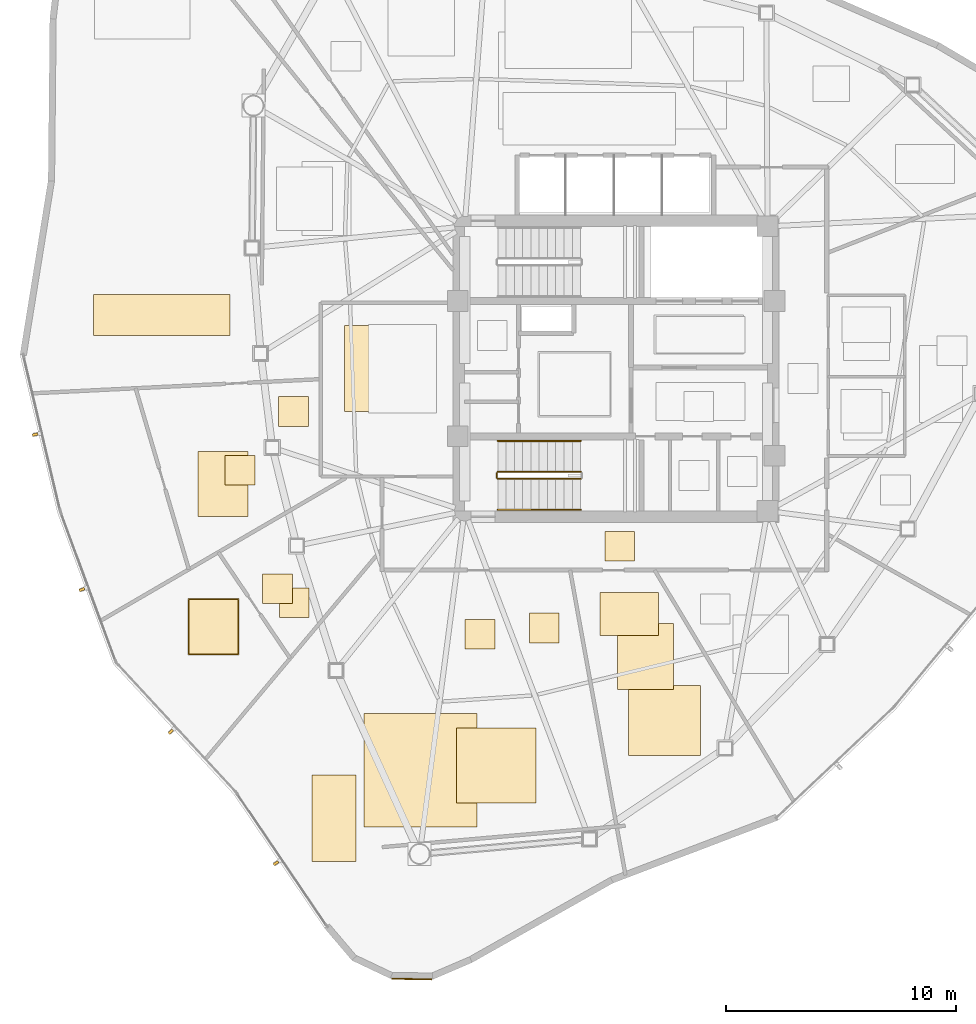
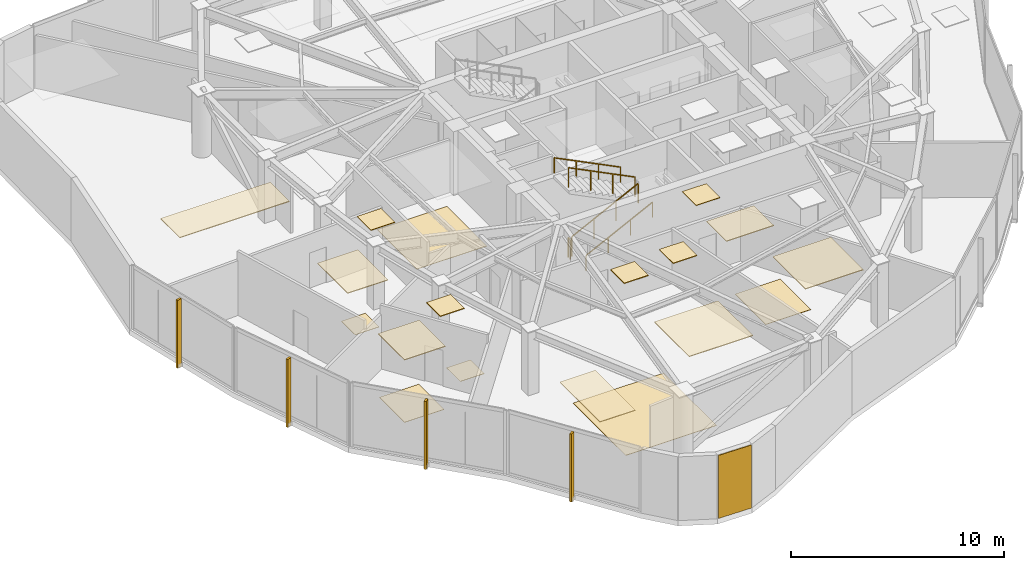
# One storey, part 11 of 13: 19 coverings, 5 railings, 4 shading devices.
"""IFC4 building model written with IfcOpenShell, lengths in metres."""

import ifcopenshell
import ifcopenshell.guid

model = None  # the IFC model being written
_history = None  # IfcOwnerHistory: only IFC2X3 demands one
_inside = {}  # id of a spatial element -> (the spatial element, [elements in it])
_under = {}  # id of a project, library or spatial element -> (it, [spatial elements below it])
_declared = {}  # id of a project -> (the project, [libraries it declares])
_typed = {}  # id of a type object -> (the type object, [elements of that type])
_made_of = {}  # id of a material, layer set ... -> (it, [elements and type objects made of it])


def new_model(schema):
    """Start an empty IFC model of exactly this schema.

    Asked for "IFC4X3", IfcOpenShell would pick the latest addendum, in which some entities
    have other attributes; the version numbers below select the first issue.
    IFC2X3 requires an IfcOwnerHistory on every rooted entity: one is made here for all.
    """
    global model, _history
    if schema == "IFC4X3":
        model = ifcopenshell.file(schema_version=(4, 3, 0, 0))
    else:
        model = ifcopenshell.file(schema=schema)
    _inside.clear()
    _under.clear()
    _declared.clear()
    _typed.clear()
    _made_of.clear()
    _history = None
    if model.schema == "IFC2X3":
        org = make("IfcOrganization", Name="unknown")
        user = make(
            "IfcPersonAndOrganization",
            ThePerson=make("IfcPerson", FamilyName="unknown"),
            TheOrganization=org,
        )
        app = make(
            "IfcApplication",
            ApplicationDeveloper=org,
            Version="unknown",
            ApplicationFullName="unknown",
            ApplicationIdentifier="unknown",
        )
        _history = make(
            "IfcOwnerHistory",
            OwningUser=user,
            OwningApplication=app,
            ChangeAction="ADDED",
            CreationDate=0,
        )
    return model


def make(cls, **values):
    """One entity of the class cls with the attributes given. An attribute that is None is left unset."""
    return model.create_entity(
        cls, **{name: value for name, value in values.items() if value is not None}
    )


def rooted(cls, **values):
    """An entity with a GlobalId (a new one), such as an element, a storey or a relation."""
    return make(cls, GlobalId=ifcopenshell.guid.new(), OwnerHistory=_history, **values)


def si_unit(unit_type, name, prefix=None):
    """IfcSIUnit, for example si_unit("LENGTHUNIT", "METRE", prefix="MILLI")."""
    return make("IfcSIUnit", UnitType=unit_type, Prefix=prefix, Name=name)


def assignment(units):
    """IfcUnitAssignment: the units of a project."""
    return None if units is None else make("IfcUnitAssignment", Units=units)


def point(xyz):
    """IfcCartesianPoint."""
    return None if xyz is None else make("IfcCartesianPoint", Coordinates=xyz)


def direction(xyz):
    """IfcDirection."""
    return None if xyz is None else make("IfcDirection", DirectionRatios=xyz)


def frame(location, z_axis=None, x_axis=None):
    """IfcAxis2Placement3D, a coordinate frame: its origin and axes. An axis left out is left unset."""
    return make(
        "IfcAxis2Placement3D",
        Location=point(location),
        Axis=direction(z_axis),
        RefDirection=direction(x_axis),
    )


def frame_2d(location, x_axis=None):
    """IfcAxis2Placement2D, a coordinate frame in the plane: its origin and x axis."""
    return make(
        "IfcAxis2Placement2D", Location=point(location), RefDirection=direction(x_axis)
    )


def origin():
    """The frame at (0, 0, 0) with its axes left unset."""
    return frame((0.0, 0.0, 0.0))


def origin_2d():
    """The frame at (0, 0) in the plane with its x axis left unset."""
    return frame_2d((0.0, 0.0))


def place(relative_to, where):
    """IfcLocalPlacement: puts the frame where relative to a parent placement (None: the world)."""
    return make(
        "IfcLocalPlacement", PlacementRelTo=relative_to, RelativePlacement=where
    )


def context(
    kind, dimensions, precision=None, world=None, true_north=None, identifier=None
):
    """IfcGeometricRepresentationContext, for example the 3D "Model" context."""
    return make(
        "IfcGeometricRepresentationContext",
        ContextIdentifier=identifier,
        ContextType=kind,
        CoordinateSpaceDimension=dimensions,
        Precision=precision,
        WorldCoordinateSystem=world,
        TrueNorth=true_north,
    )


def subcontext(parent, identifier, kind, view, scale=None):
    """IfcGeometricRepresentationSubContext, for example "Body" below "Model"."""
    return make(
        "IfcGeometricRepresentationSubContext",
        ContextIdentifier=identifier,
        ContextType=kind,
        ParentContext=parent,
        TargetScale=scale,
        TargetView=view,
    )


def project(units=None, contexts=None):
    """IfcProject with its units and contexts."""
    return rooted(
        "IfcProject",
        Name="project",
        RepresentationContexts=contexts,
        UnitsInContext=assignment(units),
    )


def spatial(cls, under=None, at=None, **own):
    """A site, building, storey or space (cls), placed at a placement, below another one or the project."""
    s = rooted(cls, ObjectPlacement=at, **own)
    if under is not None:
        _under.setdefault(under.id(), (under, []))[1].append(s)
    return s


def polyline(points):
    """IfcPolyline through the points."""
    return make("IfcPolyline", Points=[point(p) for p in points])


def profile(cls, at=None, kind="AREA", **sizes):
    """A parametric profile (cls). Its sizes go by their IFC names, for example OverallWidth=200.0."""
    return make(cls, ProfileType=kind, Position=at, **sizes)


def rectangle(**sizes):
    """IfcRectangleProfileDef."""
    return profile("IfcRectangleProfileDef", **sizes)


def outline(outer, holes=None, kind="AREA"):
    """IfcArbitraryClosedProfileDef: a profile drawn as a closed curve; with holes, ...WithVoids."""
    if holes is None:
        return make("IfcArbitraryClosedProfileDef", ProfileType=kind, OuterCurve=outer)
    return make(
        "IfcArbitraryProfileDefWithVoids",
        ProfileType=kind,
        OuterCurve=outer,
        InnerCurves=holes,
    )


def extrude(swept, where, along, depth):
    """IfcExtrudedAreaSolid: the profile swept, set in the frame where, extruded along a direction by depth."""
    return make(
        "IfcExtrudedAreaSolid",
        SweptArea=swept,
        Position=where,
        ExtrudedDirection=direction(along),
        Depth=depth,
    )


def shape(context_of_items, identifier, shape_type, items):
    """IfcShapeRepresentation: the items that make up one representation, for example the "Body"."""
    return make(
        "IfcShapeRepresentation",
        ContextOfItems=context_of_items,
        RepresentationIdentifier=identifier,
        RepresentationType=shape_type,
        Items=items,
    )


def source(mapping_origin, context_of_items, identifier, shape_type, items):
    """IfcRepresentationMap: a shape defined once, which mapped items show again and again."""
    return make(
        "IfcRepresentationMap",
        MappingOrigin=mapping_origin,
        MappedRepresentation=shape(context_of_items, identifier, shape_type, items),
    )


def transform(
    local_origin,
    x_axis=None,
    y_axis=None,
    z_axis=None,
    scale=None,
    scale2=None,
    scale3=None,
    uniform=True,
):
    """IfcCartesianTransformationOperator3D, or its non-uniform kind. x_axis, y_axis, z_axis: its Axis1, 2, 3."""
    if uniform:
        return make(
            "IfcCartesianTransformationOperator3D",
            Axis1=direction(x_axis),
            Axis2=direction(y_axis),
            LocalOrigin=point(local_origin),
            Scale=scale,
            Axis3=direction(z_axis),
        )
    return make(
        "IfcCartesianTransformationOperator3DnonUniform",
        Axis1=direction(x_axis),
        Axis2=direction(y_axis),
        LocalOrigin=point(local_origin),
        Scale=scale,
        Axis3=direction(z_axis),
        Scale2=scale2,
        Scale3=scale3,
    )


def mapped(mapping_source, mapping_target):
    """IfcMappedItem: shows the shape of a source again, moved by a transform."""
    return make(
        "IfcMappedItem", MappingSource=mapping_source, MappingTarget=mapping_target
    )


def material(Name=None, Category=None):
    """IfcMaterial."""
    return make("IfcMaterial", Name=Name, Category=Category)


def layer(
    of_material, thickness, ventilated=None, Name=None, Category=None, Priority=None
):
    """IfcMaterialLayer: one layer of a wall or slab, of a material (None: an air gap)."""
    return make(
        "IfcMaterialLayer",
        Material=of_material,
        LayerThickness=thickness,
        IsVentilated=ventilated,
        Name=Name,
        Category=Category,
        Priority=Priority,
    )


def layer_set(layers, Name=None):
    """IfcMaterialLayerSet."""
    return make("IfcMaterialLayerSet", MaterialLayers=layers, LayerSetName=Name)


def made_of(thing, what):
    """Note that an element or type object is made of a material, layer set ...; save() writes the relation."""
    if what is not None:
        _made_of.setdefault(what.id(), (what, []))[1].append(thing)
    return thing


def type_object(cls, material=None, **own):
    """A type object (cls), such as IfcWallType, which elements share."""
    return made_of(rooted(cls, **own), material)


def type_shapes(of_type, sources):
    """Give a type object the sources (RepresentationMaps) that its elements show as mapped items."""
    of_type.RepresentationMaps = sources


def element(
    cls,
    number,
    at=None,
    inside=None,
    cuts=None,
    type_object=None,
    material=None,
    context=None,
    identifier="Body",
    shape_type=None,
    held_by="IfcProductDefinitionShape",
    body=None,
    shapes=None,
    **own,
):
    """One element of the class cls, such as IfcWall. Its Tag is "e" and its number.

    at: its placement. inside: the storey or other place that contains it. cuts: it is an
    opening in that element (IfcRelVoidsElement). A single representation is given by context,
    identifier, shape_type and body (its items); several are given by shapes. held_by: the class
    of the entity that holds the representations. save() writes the other relations.
    """
    e = rooted(cls, Tag="e%d" % number, ObjectPlacement=at, **own)
    if body is not None:
        shapes = [shape(context, identifier, shape_type, body)]
    if shapes is not None:
        e.Representation = make(held_by, Representations=shapes)
    if inside is not None:
        _inside.setdefault(inside.id(), (inside, []))[1].append(e)
    if cuts is not None:
        rooted(
            "IfcRelVoidsElement", RelatingBuildingElement=cuts, RelatedOpeningElement=e
        )
    if type_object is not None:
        _typed.setdefault(type_object.id(), (type_object, []))[1].append(e)
    return made_of(e, material)


def aggregate(whole, parts):
    """IfcRelAggregates: a whole, such as a stair, and the parts it consists of."""
    return rooted("IfcRelAggregates", RelatingObject=whole, RelatedObjects=parts)


def save(model, path):
    """Write the relations noted so far, then the file.

    IfcRelAggregates (storeys below a building ...), IfcRelContainedInSpatialStructure (elements
    in a storey), IfcRelDefinesByType, IfcRelAssociatesMaterial and IfcRelDeclares: one each for
    every whole, place, type object, material and project.
    """
    for whole, parts in _under.values():
        aggregate(whole, parts)
    for where, things in _inside.values():
        rooted(
            "IfcRelContainedInSpatialStructure",
            RelatedElements=things,
            RelatingStructure=where,
        )
    for kind, things in _typed.values():
        rooted("IfcRelDefinesByType", RelatedObjects=things, RelatingType=kind)
    for what, things in _made_of.values():
        rooted("IfcRelAssociatesMaterial", RelatedObjects=things, RelatingMaterial=what)
    for by, libraries in _declared.values():
        rooted("IfcRelDeclares", RelatingContext=by, RelatedDefinitions=libraries)
    model.write(path)


model = new_model("IFC4")

# Units and contexts
model_context = context("Model", 3, precision=1e-05, world=origin(), true_north=direction((0.0, 1.0)))
body_context = subcontext(model_context, "Body", "Model", "MODEL_VIEW")
ifc_project = project(units=[si_unit("LENGTHUNIT", "METRE"), si_unit("AREAUNIT", "SQUARE_METRE"), si_unit("VOLUMEUNIT", "CUBIC_METRE"), si_unit("PLANEANGLEUNIT", "RADIAN"), si_unit("MASSUNIT", "GRAM", prefix="KILO")], contexts=[model_context])

# Site, building, storey
site_placement = place(None, origin())
site = spatial("IfcSite", under=ifc_project, at=site_placement, CompositionType="ELEMENT")
building_placement = place(site_placement, origin())
building = spatial("IfcBuilding", under=site, at=building_placement, Name="Tavelor Broadcast Tower", CompositionType="ELEMENT")
storey_placement = place(building_placement, frame((0.0, 0.0, 237.949951171875)))
storey = spatial("IfcBuildingStorey", under=building, at=storey_placement, Name="L56", CompositionType="ELEMENT", Elevation=237.949951171875)

# Covering
ifc_material_1 = material(Name="Copper-Bronze Anodized Aluminium", Category="aluminium")
ifc_layer_1 = layer(ifc_material_1, 0.050048828125)
ifc_layer_set_1 = layer_set([ifc_layer_1], Name="Copper-Bronze Anodized Aluminium")
covering_type_1 = type_object("IfcCoveringType", Name="Champagne-Bronze Corner Pier Metal Cladding 50 mm", PredefinedType="CLADDING", material=ifc_layer_set_1)
covering_1_placement = place(storey_placement, frame((41.091796875, 18.4033203125, 0.02001953125), z_axis=(0.0, 0.0, 1.0), x_axis=(0.999832084347, -0.018324931396, 0.0)))
element("IfcCovering", 1, at=covering_1_placement, inside=storey, type_object=covering_type_1, Name="L56 Champagne-Bronze Corner Cladding 13", PredefinedType="CLADDING", context=body_context, shape_type="SweptSolid", body=[
    extrude(rectangle(XDim=1.75244140625, YDim=0.050048828125, at=origin_2d()), origin(), (0.0, 0.0, 1.0), 3.610107421875),
])

# Railings
ifc_material_2 = material(Name="Steel S355", Category="steel")
railing_type_1 = type_object("IfcRailingType", Name="Continuous Brushed Stainless Handrail 900 mm", PredefinedType="HANDRAIL", material=ifc_material_2)
railing_1_placement = place(storey_placement, frame((44.85009765625, 38.85009765625, 0.1796875)))
element("IfcRailing", 2, at=railing_1_placement, inside=storey, type_object=railing_type_1, Name="L56 ST2 stair handrail 1", PredefinedType="HANDRAIL", context=body_context, shape_type="SweptSolid", body=[
    extrude(rectangle(XDim=0.048095703125, YDim=0.048095703125, at=origin_2d()), frame((0.0, 0.0, 0.8759765625), z_axis=(0.894875846893, 0.0, 0.446315156192), x_axis=(0.0, 1.0, 0.0)), (0.0, 0.0, 1.0), 4.022705078125),
    extrude(rectangle(XDim=0.0419921875, YDim=0.0419921875, at=origin_2d()), origin(), (0.0, 0.0, 1.0), 0.851806640625),
    extrude(rectangle(XDim=0.0419921875, YDim=0.0419921875, at=origin_2d()), frame((1.199951171875, 0.0, 0.598388671875)), (0.0, 0.0, 1.0), 0.851806640625),
    extrude(rectangle(XDim=0.0419921875, YDim=0.0419921875, at=origin_2d()), frame((2.39990234375, 0.0, 1.197021484375)), (0.0, 0.0, 1.0), 0.851806640625),
    extrude(rectangle(XDim=0.0419921875, YDim=0.0419921875, at=origin_2d()), frame((3.599853515625, 0.0, 1.79541015625)), (0.0, 0.0, 1.0), 0.851806640625),
])
railing_2_placement = place(storey_placement, frame((48.449951171875, 41.85009765625, 2.154541015625)))
element("IfcRailing", 3, at=railing_2_placement, inside=storey, type_object=railing_type_1, Name="L56 ST2 stair handrail 2", PredefinedType="HANDRAIL", context=body_context, shape_type="SweptSolid", body=[
    extrude(rectangle(XDim=0.048095703125, YDim=0.048095703125, at=origin_2d()), frame((0.0, 0.0, 0.8759765625), z_axis=(-0.894875846893, 0.0, 0.446315156192), x_axis=(0.0, -1.0, 0.0)), (0.0, 0.0, 1.0), 4.022705078125),
    extrude(rectangle(XDim=0.0419921875, YDim=0.0419921875, at=origin_2d()), origin(), (0.0, 0.0, 1.0), 0.851806640625),
    extrude(rectangle(XDim=0.0419921875, YDim=0.0419921875, at=origin_2d()), frame((-1.199951171875, 0.0, 0.598388671875)), (0.0, 0.0, 1.0), 0.851806640625),
    extrude(rectangle(XDim=0.0419921875, YDim=0.0419921875, at=origin_2d()), frame((-2.39990234375, 0.0, 1.197021484375)), (0.0, 0.0, 1.0), 0.851806640625),
    extrude(rectangle(XDim=0.0419921875, YDim=0.0419921875, at=origin_2d()), frame((-3.599853515625, 0.0, 1.79541015625)), (0.0, 0.0, 1.0), 0.851806640625),
])

# Coverings
ifc_material_3 = material(Name="Architectural Anodized Aluminium", Category="aluminium")
ifc_layer_2 = layer(ifc_material_3, 0.034912109375)
ifc_layer_set_2 = layer_set([ifc_layer_2], Name="Architectural Anodized Aluminium")
covering_type_2 = type_object("IfcCoveringType", Name="Demountable Metal Tile Corridor Ceiling 35 mm", PredefinedType="CEILING", material=ifc_layer_set_2)
covering_2_placement = place(storey_placement, frame((0.0, 0.0, 3.614990234375)))
element("IfcCovering", 4, at=covering_2_placement, inside=storey, type_object=covering_type_2, Name="L56 Suspended Acoustic Ceiling 2210", PredefinedType="CEILING", context=body_context, shape_type="SweptSolid", body=[
    extrude(outline(polyline([(49.510498046875, 36.610107421875), (50.810302734375, 36.610107421875), (50.810302734375, 37.909912109375), (49.510498046875, 37.909912109375), (49.510498046875, 36.610107421875)])), origin(), (0.0, 0.0, 1.0), 0.03515625),
])
ifc_material_4 = material(Name="Acoustic Nylon Carpet Tile")
ifc_layer_3 = layer(ifc_material_4, 0.02001953125)
ifc_layer_set_3 = layer_set([ifc_layer_3], Name="Acoustic Nylon Carpet Tile")
covering_type_3 = type_object("IfcCoveringType", Name="Heavy-Duty Acoustic Broadcast Carpet Tile 20 mm", PredefinedType="FLOORING", material=ifc_layer_set_3)
covering_3_placement = place(storey_placement, origin())
element("IfcCovering", 5, at=covering_3_placement, inside=storey, type_object=covering_type_3, Name="L56 Broadcast Floor Finish 0822", PredefinedType="FLOORING", context=body_context, shape_type="SweptSolid", body=[
    extrude(outline(polyline([(38.15771484375, 43.12890625), (41.942138671875, 43.12890625), (41.942138671875, 46.87060546875), (38.15771484375, 46.87060546875), (38.15771484375, 43.12890625)])), origin(), (0.0, 0.0, 1.0), 0.02001953125),
])
covering_4_placement = place(storey_placement, origin())
element("IfcCovering", 6, at=covering_4_placement, inside=storey, type_object=covering_type_3, Name="L56 Broadcast Floor Finish 0826", PredefinedType="FLOORING", context=body_context, shape_type="SweptSolid", body=[
    extrude(outline(polyline([(50.062255859375, 31.02978515625), (52.50341796875, 31.02978515625), (52.50341796875, 33.90673828125), (50.062255859375, 33.90673828125), (50.062255859375, 31.02978515625)])), origin(), (0.0, 0.0, 1.0), 0.02001953125),
])
covering_5_placement = place(storey_placement, origin())
element("IfcCovering", 7, at=covering_5_placement, inside=storey, type_object=covering_type_3, Name="L56 Broadcast Floor Finish 0827", PredefinedType="FLOORING", context=body_context, shape_type="SweptSolid", body=[
    extrude(outline(polyline([(39.02490234375, 25.038818359375), (43.936767578125, 25.038818359375), (43.936767578125, 29.984130859375), (39.02490234375, 29.984130859375), (39.02490234375, 25.038818359375)])), origin(), (0.0, 0.0, 1.0), 0.02001953125),
])
covering_6_placement = place(storey_placement, origin())
element("IfcCovering", 8, at=covering_6_placement, inside=storey, type_object=covering_type_3, Name="L56 Broadcast Floor Finish 0828", PredefinedType="FLOORING", context=body_context, shape_type="SweptSolid", body=[
    extrude(outline(polyline([(31.39208984375, 32.5615234375), (33.530029296875, 32.5615234375), (33.530029296875, 34.93798828125), (31.39208984375, 34.93798828125), (31.39208984375, 32.5615234375)])), origin(), (0.0, 0.0, 1.0), 0.02001953125),
])
covering_7_placement = place(storey_placement, origin())
element("IfcCovering", 9, at=covering_7_placement, inside=storey, type_object=covering_type_3, Name="L56 Broadcast Floor Finish 0832", PredefinedType="FLOORING", context=body_context, shape_type="SweptSolid", body=[
    extrude(outline(polyline([(32.96240234375, 39.922607421875), (34.262451171875, 39.922607421875), (34.262451171875, 41.222412109375), (32.96240234375, 41.222412109375), (32.96240234375, 39.922607421875)])), origin(), (0.0, 0.0, 1.0), 0.02001953125),
])
covering_8_placement = place(storey_placement, origin())
element("IfcCovering", 10, at=covering_8_placement, inside=storey, type_object=covering_type_3, Name="L56 Broadcast Floor Finish 0833", PredefinedType="FLOORING", context=body_context, shape_type="SweptSolid", body=[
    extrude(outline(polyline([(35.328857421875, 34.152099609375), (36.62890625, 34.152099609375), (36.62890625, 35.4521484375), (35.328857421875, 35.4521484375), (35.328857421875, 34.152099609375)])), origin(), (0.0, 0.0, 1.0), 0.02001953125),
])

# Railings
railing_type_2 = type_object("IfcRailingType", Name="Stairwell Steel Safety Guardrail 1150 mm", PredefinedType="GUARDRAIL", material=ifc_material_2)
railing_3_placement = place(storey_placement, frame((44.85009765625, 40.199951171875, 0.1796875)))
element("IfcRailing", 11, at=railing_3_placement, inside=storey, type_object=railing_type_2, Name="L56 ST2 stair guard 1", PredefinedType="GUARDRAIL", context=body_context, shape_type="SweptSolid", body=[
    extrude(rectangle(XDim=0.048095703125, YDim=0.048095703125, at=origin_2d()), frame((0.0, 0.0, 1.1259765625), z_axis=(0.894875846893, 0.0, 0.446315156192), x_axis=(0.0, 1.0, 0.0)), (0.0, 0.0, 1.0), 4.022705078125),
    extrude(rectangle(XDim=0.0419921875, YDim=0.0419921875, at=origin_2d()), origin(), (0.0, 0.0, 1.0), 1.101806640625),
    extrude(rectangle(XDim=0.0419921875, YDim=0.0419921875, at=origin_2d()), frame((1.199951171875, 0.0, 0.598388671875)), (0.0, 0.0, 1.0), 1.101806640625),
    extrude(rectangle(XDim=0.0419921875, YDim=0.0419921875, at=origin_2d()), frame((2.39990234375, 0.0, 1.197021484375)), (0.0, 0.0, 1.0), 1.101806640625),
    extrude(rectangle(XDim=0.0419921875, YDim=0.0419921875, at=origin_2d()), frame((3.599853515625, 0.0, 1.79541015625)), (0.0, 0.0, 1.0), 1.101806640625),
])
railing_4_placement = place(storey_placement, frame((48.449951171875, 40.5, 2.154541015625)))
element("IfcRailing", 12, at=railing_4_placement, inside=storey, type_object=railing_type_2, Name="L56 ST2 stair guard 3", PredefinedType="GUARDRAIL", context=body_context, shape_type="SweptSolid", body=[
    extrude(rectangle(XDim=0.048095703125, YDim=0.048095703125, at=origin_2d()), frame((0.0, 0.0, 1.1259765625), z_axis=(-0.894875846893, 0.0, 0.446315156192), x_axis=(0.0, -1.0, 0.0)), (0.0, 0.0, 1.0), 4.022705078125),
    extrude(rectangle(XDim=0.0419921875, YDim=0.0419921875, at=origin_2d()), origin(), (0.0, 0.0, 1.0), 1.101806640625),
    extrude(rectangle(XDim=0.0419921875, YDim=0.0419921875, at=origin_2d()), frame((-1.199951171875, 0.0, 0.598388671875)), (0.0, 0.0, 1.0), 1.101806640625),
    extrude(rectangle(XDim=0.0419921875, YDim=0.0419921875, at=origin_2d()), frame((-2.39990234375, 0.0, 1.197021484375)), (0.0, 0.0, 1.0), 1.101806640625),
    extrude(rectangle(XDim=0.0419921875, YDim=0.0419921875, at=origin_2d()), frame((-3.599853515625, 0.0, 1.79541015625)), (0.0, 0.0, 1.0), 1.101806640625),
])
railing_5_placement = place(storey_placement, frame((44.800048828125, 40.25, 0.0)))
element("IfcRailing", 13, at=railing_5_placement, inside=storey, type_object=railing_type_2, Name="L56 ST2 stair guard 4", PredefinedType="GUARDRAIL", context=body_context, shape_type="SweptSolid", body=[
    extrude(rectangle(XDim=0.048095703125, YDim=0.048095703125, at=origin_2d()), frame((0.0, 0.0, 1.1259765625), z_axis=(0.0, 1.0, 0.0), x_axis=(-1.0, 0.0, 0.0)), (0.0, 0.0, 1.0), 0.199951171875),
    extrude(rectangle(XDim=0.0419921875, YDim=0.0419921875, at=origin_2d()), origin(), (0.0, 0.0, 1.0), 1.101806640625),
    extrude(rectangle(XDim=0.0419921875, YDim=0.0419921875, at=origin_2d()), frame((0.0, 0.199951171875, 0.0)), (0.0, 0.0, 1.0), 1.101806640625),
])

# Coverings
ifc_material_5 = material(Name="Acoustic Mineral Fibre Tile")
ifc_layer_4 = layer(ifc_material_5, 0.0400390625)
ifc_layer_set_4 = layer_set([ifc_layer_4], Name="Acoustic Mineral Fibre Tile")
covering_type_4 = type_object("IfcCoveringType", Name="Suspended Acoustic Mineral-Fibre Office Ceiling 40 mm", PredefinedType="CEILING", material=ifc_layer_set_4)
covering_9_placement = place(storey_placement, frame((0.0, 0.0, 3.610107421875)))
element("IfcCovering", 14, at=covering_9_placement, inside=storey, type_object=covering_type_4, Name="L56 Suspended Acoustic Ceiling 2215", PredefinedType="CEILING", context=body_context, shape_type="SweptSolid", body=[
    extrude(outline(polyline([(50.53759765625, 28.140869140625), (53.685546875, 28.140869140625), (53.685546875, 31.19287109375), (50.53759765625, 31.19287109375), (50.53759765625, 28.140869140625)])), origin(), (0.0, 0.0, 1.0), 0.0400390625),
])
covering_10_placement = place(storey_placement, frame((0.0, 0.0, 3.610107421875)))
element("IfcCovering", 15, at=covering_10_placement, inside=storey, type_object=covering_type_4, Name="L56 Suspended Acoustic Ceiling 2216", PredefinedType="CEILING", context=body_context, shape_type="SweptSolid", body=[
    extrude(outline(polyline([(49.2880859375, 33.368896484375), (51.852294921875, 33.368896484375), (51.852294921875, 35.238525390625), (49.2880859375, 35.238525390625), (49.2880859375, 33.368896484375)])), origin(), (0.0, 0.0, 1.0), 0.0400390625),
])
covering_11_placement = place(storey_placement, frame((0.0, 0.0, 3.610107421875)))
element("IfcCovering", 16, at=covering_11_placement, inside=storey, type_object=covering_type_4, Name="L56 Suspended Acoustic Ceiling 2217", PredefinedType="CEILING", context=body_context, shape_type="SweptSolid", body=[
    extrude(outline(polyline([(43.415283203125, 32.7802734375), (44.715087890625, 32.7802734375), (44.715087890625, 34.080322265625), (43.415283203125, 34.080322265625), (43.415283203125, 32.7802734375)])), origin(), (0.0, 0.0, 1.0), 0.0400390625),
])
covering_12_placement = place(storey_placement, frame((0.0, 0.0, 3.610107421875)))
element("IfcCovering", 17, at=covering_12_placement, inside=storey, type_object=covering_type_4, Name="L56 Suspended Acoustic Ceiling 2218", PredefinedType="CEILING", context=body_context, shape_type="SweptSolid", body=[
    extrude(outline(polyline([(46.217041015625, 33.05322265625), (47.51708984375, 33.05322265625), (47.51708984375, 34.353271484375), (46.217041015625, 34.353271484375), (46.217041015625, 33.05322265625)])), origin(), (0.0, 0.0, 1.0), 0.0400390625),
])
covering_13_placement = place(storey_placement, frame((0.0, 0.0, 3.610107421875)))
element("IfcCovering", 18, at=covering_13_placement, inside=storey, type_object=covering_type_4, Name="L56 Suspended Acoustic Ceiling 2219", PredefinedType="CEILING", context=body_context, shape_type="SweptSolid", body=[
    extrude(outline(polyline([(43.053955078125, 26.074462890625), (46.50537109375, 26.074462890625), (46.50537109375, 29.3408203125), (43.053955078125, 29.3408203125), (43.053955078125, 26.074462890625)])), origin(), (0.0, 0.0, 1.0), 0.0400390625),
])
covering_14_placement = place(storey_placement, frame((0.0, 0.0, 3.610107421875)))
element("IfcCovering", 19, at=covering_14_placement, inside=storey, type_object=covering_type_4, Name="L56 Suspended Acoustic Ceiling 2220", PredefinedType="CEILING", context=body_context, shape_type="SweptSolid", body=[
    extrude(outline(polyline([(36.756591796875, 23.53369140625), (38.676025390625, 23.53369140625), (38.676025390625, 27.2978515625), (36.756591796875, 27.2978515625), (36.756591796875, 23.53369140625)])), origin(), (0.0, 0.0, 1.0), 0.0400390625),
])
covering_15_placement = place(storey_placement, frame((0.0, 0.0, 3.610107421875)))
element("IfcCovering", 20, at=covering_15_placement, inside=storey, type_object=covering_type_4, Name="L56 Suspended Acoustic Ceiling 2221", PredefinedType="CEILING", context=body_context, shape_type="SweptSolid", body=[
    extrude(outline(polyline([(31.353271484375, 32.5166015625), (33.57958984375, 32.5166015625), (33.57958984375, 34.98291015625), (31.353271484375, 34.98291015625), (31.353271484375, 32.5166015625)])), origin(), (0.0, 0.0, 1.0), 0.0400390625),
])
covering_16_placement = place(storey_placement, frame((0.0, 0.0, 3.610107421875)))
element("IfcCovering", 21, at=covering_16_placement, inside=storey, type_object=covering_type_4, Name="L56 Suspended Acoustic Ceiling 2224", PredefinedType="CEILING", context=body_context, shape_type="SweptSolid", body=[
    extrude(outline(polyline([(27.224609375, 46.440185546875), (33.169189453125, 46.440185546875), (33.169189453125, 48.24072265625), (27.224609375, 48.24072265625), (27.224609375, 46.440185546875)])), origin(), (0.0, 0.0, 1.0), 0.0400390625),
])
covering_17_placement = place(storey_placement, frame((0.0, 0.0, 3.610107421875)))
element("IfcCovering", 22, at=covering_17_placement, inside=storey, type_object=covering_type_4, Name="L56 Suspended Acoustic Ceiling 2235", PredefinedType="CEILING", context=body_context, shape_type="SweptSolid", body=[
    extrude(outline(polyline([(31.77392578125, 38.567626953125), (33.95654296875, 38.567626953125), (33.95654296875, 41.400146484375), (31.77392578125, 41.400146484375), (31.77392578125, 38.567626953125)])), origin(), (0.0, 0.0, 1.0), 0.0400390625),
])
covering_18_placement = place(storey_placement, frame((0.0, 0.0, 3.610107421875)))
element("IfcCovering", 23, at=covering_18_placement, inside=storey, type_object=covering_type_4, Name="L56 Suspended Acoustic Ceiling 2236", PredefinedType="CEILING", context=body_context, shape_type="SweptSolid", body=[
    extrude(outline(polyline([(35.2978515625, 42.481201171875), (36.597900390625, 42.481201171875), (36.597900390625, 43.78125), (35.2978515625, 43.78125), (35.2978515625, 42.481201171875)])), origin(), (0.0, 0.0, 1.0), 0.0400390625),
])
covering_19_placement = place(storey_placement, frame((0.0, 0.0, 3.610107421875)))
element("IfcCovering", 24, at=covering_19_placement, inside=storey, type_object=covering_type_4, Name="L56 Suspended Acoustic Ceiling 2237", PredefinedType="CEILING", context=body_context, shape_type="SweptSolid", body=[
    extrude(outline(polyline([(34.591796875, 34.761962890625), (35.8916015625, 34.761962890625), (35.8916015625, 36.06201171875), (34.591796875, 36.06201171875), (34.591796875, 34.761962890625)])), origin(), (0.0, 0.0, 1.0), 0.0400390625),
])

# Shading devices
ifc_material_6 = material(Name="Kiln-Fired Glazed Terracotta", Category="masonry")
shading_device_type = type_object("IfcShadingDeviceType", Name="Extruded Terracotta Baguette Sun-Screen 110x240", PredefinedType="JALOUSIE", material=ifc_material_6)
shared_shape = source(origin(), body_context, "Body", "SweptSolid", [
    extrude(rectangle(XDim=0.110107421875, YDim=0.239990234375, at=origin_2d()), origin(), (0.0, 0.0, 1.0), 3.889892578125),
])
type_shapes(shading_device_type, [shared_shape])
for number, where, z_axis, x_axis, name in (
    (25, (24.68359375, 42.12939453125, -0.259765625), (0.0, 0.0, 1.0), (0.230389426677, -0.973098510982, 0.0), "L56 Terracotta Baguette Fin 577"),
    (26, (26.723388671875, 35.373291015625, -0.259765625), (0.0, 0.0, 1.0), (0.346608245445, -0.938009980858, 0.0), "L56 Terracotta Baguette Fin 578"),
    (27, (30.595703125, 29.181396484375, -0.259765625), (0.0, 0.0, 1.0), (0.678928898649, -0.734204025172, 0.0), "L56 Terracotta Baguette Fin 579"),
    (28, (35.179443359375, 23.451904296875, -0.259765625), (0.0, 0.0, 1.0), (0.56179463803, -0.827276727994, 0.0), "L56 Terracotta Baguette Fin 580"),
):
    element("IfcShadingDevice", number, at=place(storey_placement, frame(where, z_axis=z_axis, x_axis=x_axis)), inside=storey, type_object=shading_device_type, Name=name, PredefinedType="JALOUSIE", context=body_context, shape_type="MappedRepresentation", body=[
        mapped(shared_shape, transform((0.0, 0.0, 0.0), scale=1.0)),
    ])

save(model, "model.ifc")
